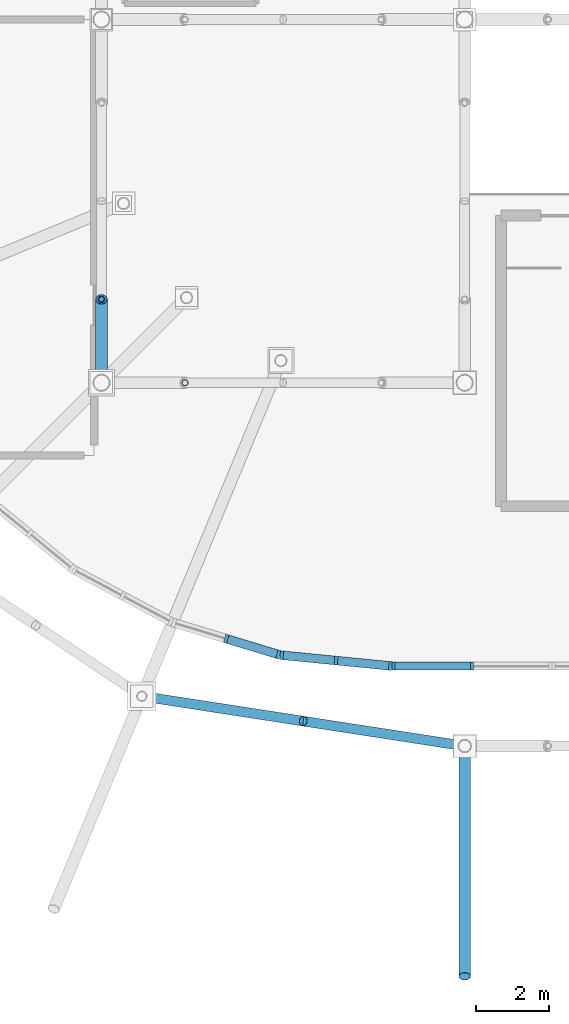
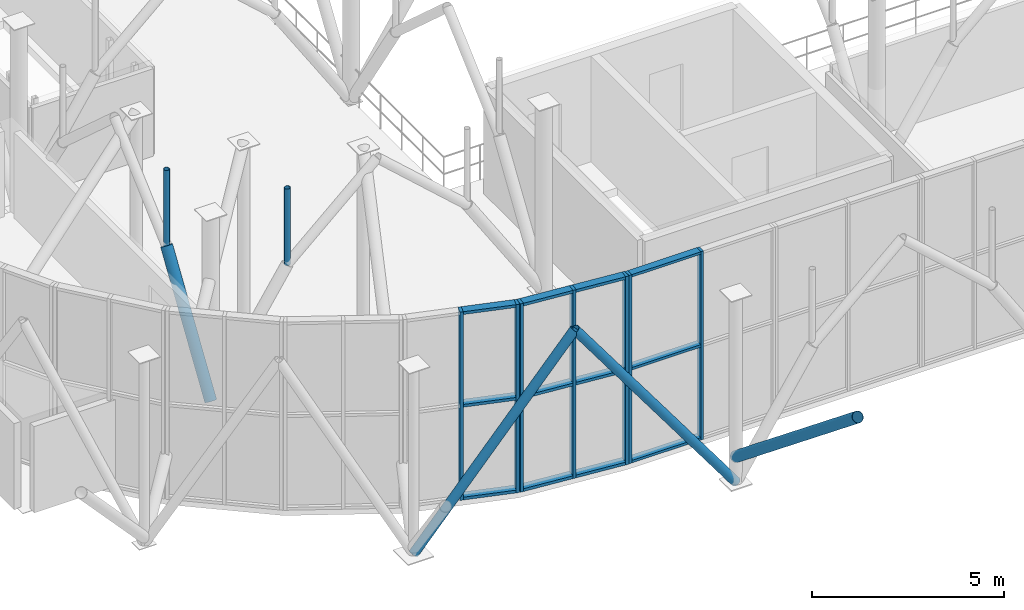
# One storey, part 28 of 109: 25 members, 3 elements without a shape of their own.
"""IFC4 building model written with IfcOpenShell, lengths in metres."""

from ifc_helpers import new_model, si_unit, derived_unit, direction, frame, origin, origin_2d_with_axis, place, context, subcontext, project, spatial, rectangle, hollow_circle, extrude, material, material_profile, profile_set, type_object, element, aggregate, save


model = new_model("IFC4")

# Units and contexts
model_context = context("Model", 3, precision=1e-05, world=origin(), true_north=direction((0.0, 1.0)))
body_context = subcontext(model_context, "Body", "Model", "MODEL_VIEW")
ifc_project = project(units=[si_unit("LENGTHUNIT", "METRE"), si_unit("AREAUNIT", "SQUARE_METRE"), si_unit("VOLUMEUNIT", "CUBIC_METRE"), si_unit("PLANEANGLEUNIT", "RADIAN"), si_unit("MASSUNIT", "GRAM", prefix="KILO"), derived_unit("THERMALTRANSMITTANCEUNIT", [(si_unit("POWERUNIT", "WATT"), 1), (si_unit("LENGTHUNIT", "METRE"), -2), (si_unit("THERMODYNAMICTEMPERATUREUNIT", "KELVIN"), -1)])], contexts=[model_context])

# Site, building, storey
site_placement = place(None, origin())
site = spatial("IfcSite", under=ifc_project, at=site_placement, CompositionType="ELEMENT")
building_placement = place(site_placement, origin())
building = spatial("IfcBuilding", under=site, at=building_placement, Name="Cinnabar Yard Market Hall", CompositionType="ELEMENT")
storey_placement = place(building_placement, frame((0.0, 0.0, 8.39990234375)))
storey = spatial("IfcBuildingStorey", under=building, at=storey_placement, Name="L02", CompositionType="ELEMENT", Elevation=8.39990234375)

# Curtain wall, members
ifc_material_1 = material(Name="Anodised bronze aluminium curved-chord facade", Category="aluminium")
curtain_wall_type_1 = type_object("IfcCurtainWallType", Name="CW-CWC031x60", PredefinedType="NOTDEFINED", material=ifc_material_1)
curtain_wall_1_placement = place(storey_placement, origin())
curtain_wall_1 = element("IfcCurtainWall", 1, at=curtain_wall_1_placement, inside=storey, type_object=curtain_wall_type_1, Name="Corner SW Chord 7 L02", PredefinedType="NOTDEFINED")
ifc_material_2 = material(Name="Anodised bronze aluminium", Category="aluminium")
ifc_material_profile_1 = material_profile(ifc_material_2, rectangle(XDim=0.239990234375, YDim=0.090087890625, at=origin_2d_with_axis()), Name="MUL-CWC")
ifc_profile_set_1 = profile_set([ifc_material_profile_1], Name="Anodised bronze aluminium")
member_type_1 = type_object("IfcMemberType", Name="CWM-CWC", PredefinedType="MULLION", material=ifc_profile_set_1)
member_1_placement = place(storey_placement, frame((79.435546875, 16.953125, 0.0), z_axis=(0.0, 0.0, 1.0), x_axis=(0.290278891325, 0.956942090856, 0.0)))
member_1 = element("IfcMember", 2, at=member_1_placement, type_object=member_type_1, Name="CWC031x60 mullion 2", PredefinedType="MULLION", context=body_context, shape_type="SweptSolid", body=[
    extrude(rectangle(XDim=0.239990234375, YDim=0.090087890625, at=origin_2d_with_axis()), origin(), (0.0, 0.0, 1.0), 5.97998046875),
])
member_2_placement = place(storey_placement, frame((80.87451171875, 16.5166015625, 0.0), z_axis=(0.0, 0.0, 1.0), x_axis=(0.290278891325, 0.956942090856, 0.0)))
member_2 = element("IfcMember", 3, at=member_2_placement, type_object=member_type_1, Name="CWC031x60 mullion 3", PredefinedType="MULLION", context=body_context, shape_type="SweptSolid", body=[
    extrude(rectangle(XDim=0.239990234375, YDim=0.090087890625, at=origin_2d_with_axis()), origin(), (0.0, 0.0, 1.0), 5.97998046875),
])

curtain_wall_2_placement = place(storey_placement, origin())
curtain_wall_2 = element("IfcCurtainWall", 4, at=curtain_wall_2_placement, inside=storey, type_object=curtain_wall_type_1, Name="Corner SW Chord 8 L02", PredefinedType="NOTDEFINED")
member_3_placement = place(storey_placement, frame((80.96240234375, 16.499267578125, 0.0), z_axis=(0.0, 0.0, 1.0), x_axis=(0.098020369342, 0.995184408637, 0.0)))
member_3 = element("IfcMember", 5, at=member_3_placement, type_object=member_type_1, Name="CWC031x60 mullion 1", PredefinedType="MULLION", context=body_context, shape_type="SweptSolid", body=[
    extrude(rectangle(XDim=0.239990234375, YDim=0.090087890625, at=origin_2d_with_axis()), origin(), (0.0, 0.0, 1.0), 5.97998046875),
])
member_4_placement = place(storey_placement, frame((82.458740234375, 16.351806640625, 0.0), z_axis=(0.0, 0.0, 1.0), x_axis=(0.098020369342, 0.995184408637, 0.0)))
member_4 = element("IfcMember", 6, at=member_4_placement, type_object=member_type_1, Name="CWC031x60 mullion 2", PredefinedType="MULLION", context=body_context, shape_type="SweptSolid", body=[
    extrude(rectangle(XDim=0.239990234375, YDim=0.090087890625, at=origin_2d_with_axis()), origin(), (0.0, 0.0, 1.0), 5.97998046875),
])
member_5_placement = place(storey_placement, frame((83.955322265625, 16.204345703125, 0.0), z_axis=(0.0, 0.0, 1.0), x_axis=(0.098020369342, 0.995184408637, 0.0)))
member_5 = element("IfcMember", 7, at=member_5_placement, type_object=member_type_1, Name="CWC031x60 mullion 3", PredefinedType="MULLION", context=body_context, shape_type="SweptSolid", body=[
    extrude(rectangle(XDim=0.239990234375, YDim=0.090087890625, at=origin_2d_with_axis()), origin(), (0.0, 0.0, 1.0), 5.97998046875),
])

ifc_material_3 = material(Name="Anodised bronze aluminium and low-E glass", Category="aluminium")
curtain_wall_type_2 = type_object("IfcCurtainWallType", Name="CW-CWH044x60", PredefinedType="NOTDEFINED", material=ifc_material_3)
curtain_wall_3_placement = place(storey_placement, origin())
curtain_wall_3 = element("IfcCurtainWall", 8, at=curtain_wall_3_placement, inside=storey, type_object=curtain_wall_type_2, Name="Market Hall South Upper Clerestory B1A", PredefinedType="NOTDEFINED")
ifc_material_profile_2 = material_profile(ifc_material_2, rectangle(XDim=0.219970703125, YDim=0.080078125, at=origin_2d_with_axis()), Name="MUL-CWH")
ifc_profile_set_2 = profile_set([ifc_material_profile_2], Name="Anodised bronze aluminium")
member_type_2 = type_object("IfcMemberType", Name="CWM-CWH", PredefinedType="MULLION", material=ifc_profile_set_2)
member_6_placement = place(storey_placement, frame((84.0400390625, 16.199951171875, 0.0), z_axis=(0.0, 0.0, 1.0), x_axis=(0.0, 1.0, 0.0)))
member_6 = element("IfcMember", 9, at=member_6_placement, type_object=member_type_2, Name="CWH044x60 mullion 1", PredefinedType="MULLION", context=body_context, shape_type="SweptSolid", body=[
    extrude(rectangle(XDim=0.219970703125, YDim=0.080078125, at=origin_2d_with_axis()), origin(), (0.0, 0.0, 1.0), 5.97998046875),
])
member_7_placement = place(storey_placement, frame((86.199951171875, 16.199951171875, 0.0), z_axis=(0.0, 0.0, 1.0), x_axis=(0.0, 1.0, 0.0)))
member_7 = element("IfcMember", 10, at=member_7_placement, type_object=member_type_2, Name="CWH044x60 mullion 2", PredefinedType="MULLION", context=body_context, shape_type="SweptSolid", body=[
    extrude(rectangle(XDim=0.219970703125, YDim=0.080078125, at=origin_2d_with_axis()), origin(), (0.0, 0.0, 1.0), 5.97998046875),
])

# Member
ifc_material_profile_3 = material_profile(ifc_material_2, rectangle(XDim=0.239990234375, YDim=0.090087890625, at=origin_2d_with_axis()), Name="TRN-CWC")
ifc_profile_set_3 = profile_set([ifc_material_profile_3], Name="Anodised bronze aluminium")
member_type_3 = type_object("IfcMemberType", Name="CWT-CWC", PredefinedType="USERDEFINED", material=ifc_profile_set_3)
member_8_placement = place(storey_placement, frame((79.478759765625, 16.940185546875, 0.045166015625), z_axis=(0.956932850279, -0.290309352341, 0.0), x_axis=(0.290309352341, 0.956932850279, 0.0)))
member_8 = element("IfcMember", 11, at=member_8_placement, type_object=member_type_3, Name="CWC031x60 transom 2.1", ObjectType="TRANSOM", PredefinedType="USERDEFINED", context=body_context, shape_type="SweptSolid", body=[
    extrude(rectangle(XDim=0.239990234375, YDim=0.090087890625, at=origin_2d_with_axis()), origin(), (0.0, 0.0, 1.0), 1.41357421875),
])

member_9_placement = place(storey_placement, frame((79.478759765625, 16.940185546875, 2.989990234375), z_axis=(0.956932850279, -0.290309352341, 0.0), x_axis=(0.290309352341, 0.956932850279, 0.0)))
member_9 = element("IfcMember", 12, at=member_9_placement, type_object=member_type_3, Name="CWC031x60 transom 2.2", ObjectType="TRANSOM", PredefinedType="USERDEFINED", context=body_context, shape_type="SweptSolid", body=[
    extrude(rectangle(XDim=0.239990234375, YDim=0.090087890625, at=origin_2d_with_axis()), origin(), (0.0, 0.0, 1.0), 1.41357421875),
])

member_10_placement = place(storey_placement, frame((79.478759765625, 16.940185546875, 5.93505859375), z_axis=(0.956932850279, -0.290309352341, 0.0), x_axis=(0.290309352341, 0.956932850279, 0.0)))
member_10 = element("IfcMember", 13, at=member_10_placement, type_object=member_type_3, Name="CWC031x60 transom 2.3", ObjectType="TRANSOM", PredefinedType="USERDEFINED", context=body_context, shape_type="SweptSolid", body=[
    extrude(rectangle(XDim=0.239990234375, YDim=0.090087890625, at=origin_2d_with_axis()), origin(), (0.0, 0.0, 1.0), 1.41357421875),
])

aggregate(curtain_wall_1, [member_1, member_2, member_8, member_9, member_10])

member_11_placement = place(storey_placement, frame((81.007080078125, 16.494873046875, 0.045166015625), z_axis=(0.995178086946, -0.098084531214, 0.0), x_axis=(0.098084531214, 0.995178086946, 0.0)))
member_11 = element("IfcMember", 14, at=member_11_placement, type_object=member_type_3, Name="CWC031x60 transom 1.1", ObjectType="TRANSOM", PredefinedType="USERDEFINED", context=body_context, shape_type="SweptSolid", body=[
    extrude(rectangle(XDim=0.239990234375, YDim=0.090087890625, at=origin_2d_with_axis()), origin(), (0.0, 0.0, 1.0), 1.413818359375),
])

member_12_placement = place(storey_placement, frame((81.007080078125, 16.494873046875, 2.989990234375), z_axis=(0.995178086946, -0.098084531214, 0.0), x_axis=(0.098084531214, 0.995178086946, 0.0)))
member_12 = element("IfcMember", 15, at=member_12_placement, type_object=member_type_3, Name="CWC031x60 transom 1.2", ObjectType="TRANSOM", PredefinedType="USERDEFINED", context=body_context, shape_type="SweptSolid", body=[
    extrude(rectangle(XDim=0.239990234375, YDim=0.090087890625, at=origin_2d_with_axis()), origin(), (0.0, 0.0, 1.0), 1.413818359375),
])

member_13_placement = place(storey_placement, frame((81.007080078125, 16.494873046875, 5.93505859375), z_axis=(0.995178086946, -0.098084531214, 0.0), x_axis=(0.098084531214, 0.995178086946, 0.0)))
member_13 = element("IfcMember", 16, at=member_13_placement, type_object=member_type_3, Name="CWC031x60 transom 1.3", ObjectType="TRANSOM", PredefinedType="USERDEFINED", context=body_context, shape_type="SweptSolid", body=[
    extrude(rectangle(XDim=0.239990234375, YDim=0.090087890625, at=origin_2d_with_axis()), origin(), (0.0, 0.0, 1.0), 1.413818359375),
])

member_14_placement = place(storey_placement, frame((82.503662109375, 16.347412109375, 0.045166015625), z_axis=(0.995176425197, -0.098101390058, 0.0), x_axis=(0.098101390058, 0.995176425197, 0.0)))
member_14 = element("IfcMember", 17, at=member_14_placement, type_object=member_type_3, Name="CWC031x60 transom 2.1", ObjectType="TRANSOM", PredefinedType="USERDEFINED", context=body_context, shape_type="SweptSolid", body=[
    extrude(rectangle(XDim=0.239990234375, YDim=0.090087890625, at=origin_2d_with_axis()), origin(), (0.0, 0.0, 1.0), 1.41357421875),
])

member_15_placement = place(storey_placement, frame((82.503662109375, 16.347412109375, 2.989990234375), z_axis=(0.995176425197, -0.098101390058, 0.0), x_axis=(0.098101390058, 0.995176425197, 0.0)))
member_15 = element("IfcMember", 18, at=member_15_placement, type_object=member_type_3, Name="CWC031x60 transom 2.2", ObjectType="TRANSOM", PredefinedType="USERDEFINED", context=body_context, shape_type="SweptSolid", body=[
    extrude(rectangle(XDim=0.239990234375, YDim=0.090087890625, at=origin_2d_with_axis()), origin(), (0.0, 0.0, 1.0), 1.41357421875),
])

member_16_placement = place(storey_placement, frame((82.503662109375, 16.347412109375, 5.93505859375), z_axis=(0.995176425197, -0.098101390058, 0.0), x_axis=(0.098101390058, 0.995176425197, 0.0)))
member_16 = element("IfcMember", 19, at=member_16_placement, type_object=member_type_3, Name="CWC031x60 transom 2.3", ObjectType="TRANSOM", PredefinedType="USERDEFINED", context=body_context, shape_type="SweptSolid", body=[
    extrude(rectangle(XDim=0.239990234375, YDim=0.090087890625, at=origin_2d_with_axis()), origin(), (0.0, 0.0, 1.0), 1.41357421875),
])

aggregate(curtain_wall_2, [member_3, member_4, member_5, member_11, member_12, member_13, member_14, member_15, member_16])

ifc_material_profile_4 = material_profile(ifc_material_2, rectangle(XDim=0.219970703125, YDim=0.080078125, at=origin_2d_with_axis()), Name="TRN-CWH")
ifc_profile_set_4 = profile_set([ifc_material_profile_4], Name="Anodised bronze aluminium")
member_type_4 = type_object("IfcMemberType", Name="CWT-CWH", PredefinedType="USERDEFINED", material=ifc_profile_set_4)
member_17_placement = place(storey_placement, frame((84.080078125, 16.199951171875, 0.0400390625), z_axis=(1.0, 0.0, 0.0), x_axis=(0.0, 1.0, 0.0)))
member_17 = element("IfcMember", 20, at=member_17_placement, type_object=member_type_4, Name="CWH044x60 transom 1.1", ObjectType="TRANSOM", PredefinedType="USERDEFINED", context=body_context, shape_type="SweptSolid", body=[
    extrude(rectangle(XDim=0.219970703125, YDim=0.080078125, at=origin_2d_with_axis()), origin(), (0.0, 0.0, 1.0), 2.079833984375),
])

member_18_placement = place(storey_placement, frame((84.080078125, 16.199951171875, 2.989990234375), z_axis=(1.0, 0.0, 0.0), x_axis=(0.0, 1.0, 0.0)))
member_18 = element("IfcMember", 21, at=member_18_placement, type_object=member_type_4, Name="CWH044x60 transom 1.2", ObjectType="TRANSOM", PredefinedType="USERDEFINED", context=body_context, shape_type="SweptSolid", body=[
    extrude(rectangle(XDim=0.219970703125, YDim=0.080078125, at=origin_2d_with_axis()), origin(), (0.0, 0.0, 1.0), 2.079833984375),
])

member_19_placement = place(storey_placement, frame((84.080078125, 16.199951171875, 5.940185546875), z_axis=(1.0, 0.0, 0.0), x_axis=(0.0, 1.0, 0.0)))
member_19 = element("IfcMember", 22, at=member_19_placement, type_object=member_type_4, Name="CWH044x60 transom 1.3", ObjectType="TRANSOM", PredefinedType="USERDEFINED", context=body_context, shape_type="SweptSolid", body=[
    extrude(rectangle(XDim=0.219970703125, YDim=0.080078125, at=origin_2d_with_axis()), origin(), (0.0, 0.0, 1.0), 2.079833984375),
])

aggregate(curtain_wall_3, [member_6, member_7, member_17, member_18, member_19])

# Members
ifc_material_4 = material(Name="Spotted-gum glulam-clad steel Grade 350 (350 MPa)", Category="steel")
ifc_material_profile_5 = material_profile(ifc_material_4, hollow_circle(Radius=0.136474609375, WallThickness=0.00927734375, at=origin_2d_with_axis()), Name="273.1x9.3CHS")
ifc_profile_set_5 = profile_set([ifc_material_profile_5], Name="Spotted-gum glulam-clad steel Grade 350 (350 MPa)")
member_type_5 = type_object("IfcMemberType", Name="MB-AR01E", PredefinedType="USERDEFINED", material=ifc_profile_set_5)
for number, where, z_axis, x_axis, name in (
    (23, (77.11181640625, 15.3701171875, 0.0), (0.593975880497, -0.09156162834, 0.799255354441), (0.152350933845, 0.988326460719, 0.0), "Corner Pointed Arch SW 4A"),
    (24, (86.0, 14.0, 0.0), (-0.593975880497, 0.09156162834, 0.799255354441), (-0.152350933845, -0.988326460719, 0.0), "Corner Pointed Arch SW 4B"),
):
    element("IfcMember", number, at=place(storey_placement, frame(where, z_axis=z_axis, x_axis=x_axis)), inside=storey, type_object=member_type_5, Name=name, ObjectType="ARCH RIB", PredefinedType="USERDEFINED", context=body_context, shape_type="SweptSolid", body=[
        extrude(hollow_circle(Radius=0.136474609375, WallThickness=0.00927734375, at=origin_2d_with_axis()), origin(), (0.0, 0.0, 1.0), 7.48193359375),
    ])
ifc_material_profile_6 = material_profile(ifc_material_4, hollow_circle(Radius=0.161865234375, WallThickness=0.009521484375, at=origin_2d_with_axis()), Name="323.9x9.5CHS")
ifc_profile_set_6 = profile_set([ifc_material_profile_6], Name="Spotted-gum glulam-clad steel Grade 350 (350 MPa)")
member_type_6 = type_object("IfcMemberType", Name="MB-ST01", PredefinedType="STRUT", material=ifc_profile_set_6)
member_20_placement = place(storey_placement, frame((76.0, 24.0, 0.0), z_axis=(0.0, 0.543744165176, 0.839251024925), x_axis=(-1.0, 0.0, 0.0)))
element("IfcMember", 25, at=member_20_placement, inside=storey, type_object=member_type_6, Name="Curved Branch Arm Lower 0002", PredefinedType="STRUT", context=body_context, shape_type="SweptSolid", body=[
    extrude(hollow_circle(Radius=0.161865234375, WallThickness=0.009521484375, at=origin_2d_with_axis()), origin(), (0.0, 0.0, 1.0), 4.22998046875),
])
ifc_material_profile_7 = material_profile(ifc_material_4, hollow_circle(Radius=0.161865234375, WallThickness=0.009521484375, at=origin_2d_with_axis()), Name="323.9x9.5CHS")
ifc_profile_set_7 = profile_set([ifc_material_profile_7], Name="Spotted-gum glulam-clad steel Grade 350 (350 MPa)")
member_type_7 = type_object("IfcMemberType", Name="MB-ST01E", PredefinedType="STRUT", material=ifc_profile_set_7)
member_21_placement = place(storey_placement, frame((86.0, 14.0, 0.800048828125), z_axis=(0.0, -0.779185735248, 0.626793099824), x_axis=(1.0, 0.0, 0.0)))
element("IfcMember", 26, at=member_21_placement, inside=storey, type_object=member_type_7, Name="South Chhajja Bracket Arm 86", PredefinedType="STRUT", context=body_context, shape_type="SweptSolid", body=[
    extrude(hollow_circle(Radius=0.161865234375, WallThickness=0.009521484375, at=origin_2d_with_axis()), origin(), (0.0, 0.0, 1.0), 8.13671875),
])
ifc_material_5 = material(Name="Cold-formed steel C350L0", Category="steel")
ifc_material_profile_8 = material_profile(ifc_material_5, hollow_circle(Radius=0.084228515625, WallThickness=0.00634765625, at=origin_2d_with_axis()), Name="168.3x6.4CHS")
ifc_profile_set_8 = profile_set([ifc_material_profile_8], Name="Cold-formed steel C350L0")
member_type_8 = type_object("IfcMemberType", Name="MB-WB01", PredefinedType="STRUT", material=ifc_profile_set_8)
for number, where, z_axis, x_axis, name in (
    (27, (78.300048828125, 24.0, 3.550048828125), (0.0, 0.0, 1.0), (1.0, 0.0, 0.0), "Arch Spandrel Post 0001"),
    (28, (76.0, 26.300048828125, 3.550048828125), (0.0, 0.0, 1.0), (1.0, 0.0, 0.0), "Arch Spandrel Post 0002"),
):
    element("IfcMember", number, at=place(storey_placement, frame(where, z_axis=z_axis, x_axis=x_axis)), inside=storey, type_object=member_type_8, Name=name, PredefinedType="STRUT", context=body_context, shape_type="SweptSolid", body=[
        extrude(hollow_circle(Radius=0.084228515625, WallThickness=0.00634765625, at=origin_2d_with_axis()), origin(), (0.0, 0.0, 1.0), 2.429931640625),
    ])

save(model, "model.ifc")
